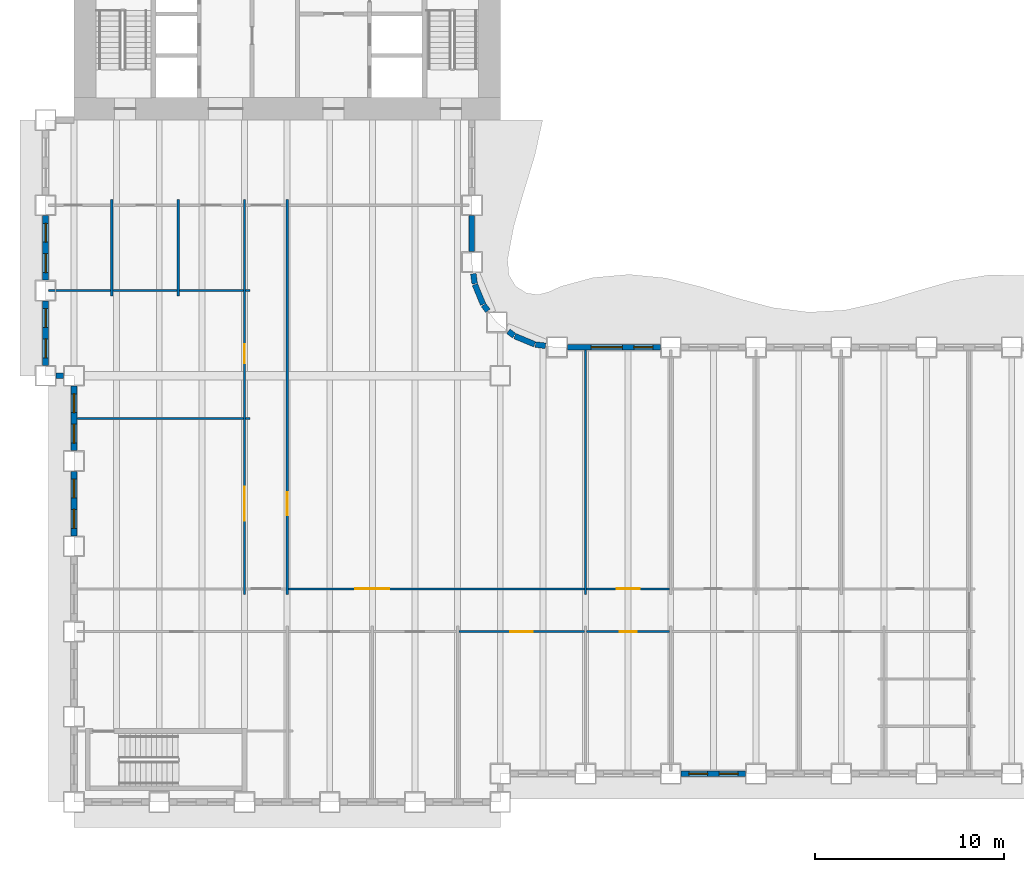
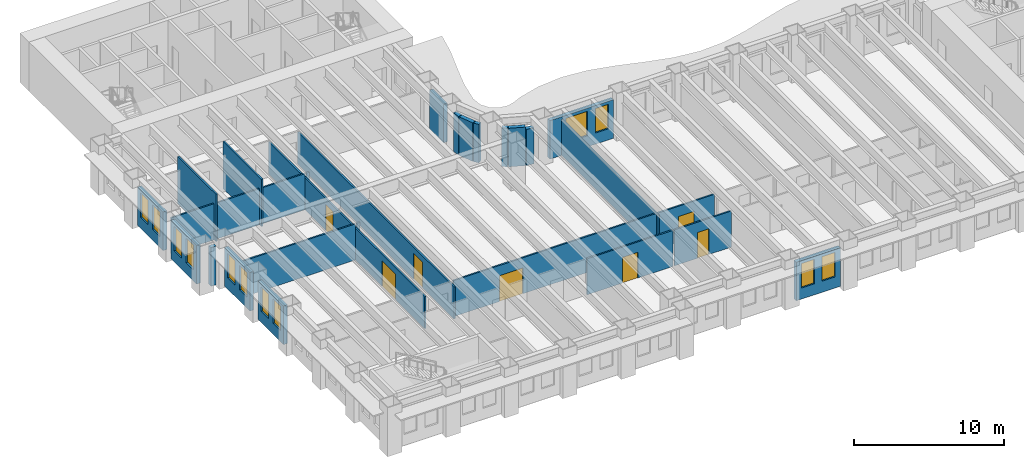
# One storey, part 4 of 16: 29 walls, 12 windows, 7 doors, 19 openings.
"""IFC4 building model written with IfcOpenShell, lengths in metres."""

from ifc_helpers import new_model, si_unit, direction, frame, frame_2d, origin, place, context, subcontext, project, spatial, rectangle, extrude, material, layer, layer_set, type_object, element, fill, save


model = new_model("IFC4")

# Units and contexts
model_context = context("Model", 3, precision=1e-05, world=origin(), true_north=direction((0.0, 1.0)))
body_context = subcontext(model_context, "Body", "Model", "MODEL_VIEW")
ifc_project = project(units=[si_unit("LENGTHUNIT", "METRE"), si_unit("AREAUNIT", "SQUARE_METRE"), si_unit("VOLUMEUNIT", "CUBIC_METRE"), si_unit("PLANEANGLEUNIT", "RADIAN"), si_unit("MASSUNIT", "GRAM", prefix="KILO")], contexts=[model_context])

# Site, building, storey
site_placement = place(None, origin())
site = spatial("IfcSite", under=ifc_project, at=site_placement, CompositionType="ELEMENT")
building_placement = place(site_placement, origin())
building = spatial("IfcBuilding", under=site, at=building_placement, Name="Sennacour Bend Tower", CompositionType="ELEMENT")
storey_placement = place(building_placement, frame((0.0, 0.0, 69.0)))
storey = spatial("IfcBuildingStorey", under=building, at=storey_placement, Name="L15", CompositionType="ELEMENT", Elevation=69.0)

# Walls
ifc_material_1 = material(Name="Plasterboard partition on steel studs", Category="steel")
ifc_layer_1 = layer(ifc_material_1, 0.1201171875, Name="Plasterboard partition on steel studs", Category="steel")
ifc_layer_set_1 = layer_set([ifc_layer_1], Name="Plasterboard partition on steel studs")
wall_type_1 = type_object("IfcWallType", Name="Partition 120", PredefinedType="PARTITIONING", material=ifc_layer_set_1)
for number, where, z_axis, x_axis, name in (
    (1, (2.0, 26.699951171875, 0.0), (0.0, 0.0, 1.0), (0.0, 1.0, 0.0), "P-L15-W004a"),
    (2, (5.5, 26.699951171875, 0.0), (0.0, 0.0, 1.0), (0.0, 1.0, 0.0), "P-L15-W008a"),
):
    element("IfcWall", number, at=place(storey_placement, frame(where, z_axis=z_axis, x_axis=x_axis)), inside=storey, type_object=wall_type_1, Name=name, PredefinedType="PARTITIONING", context=body_context, shape_type="SweptSolid", body=[
        extrude(rectangle(XDim=5.10009765625, YDim=0.1201171875, at=frame_2d((2.550048828125, 0.0))), origin(), (0.0, 0.0, 1.0), 3.85009765625),
    ])

# Wall, openings, doors
wall_1_placement = place(storey_placement, frame((9.0, 10.949951171875, 0.0), z_axis=(0.0, 0.0, 1.0), x_axis=(0.0, 1.0, 0.0)))
wall_1 = element("IfcWall", 3, at=wall_1_placement, inside=storey, type_object=wall_type_1, Name="P-L15-W011a", PredefinedType="PARTITIONING", context=body_context, shape_type="SweptSolid", body=[
    extrude(rectangle(XDim=20.85009765625, YDim=0.1201171875, at=frame_2d((10.425048828125, 0.0))), origin(), (0.0, 0.0, 1.0), 2.60009765625),
])
opening_1_placement = place(wall_1_placement, frame((3.89990234375, 0.0, 0.0)))
opening_1 = element("IfcOpeningElement", 4, at=opening_1_placement, cuts=wall_1, Name="Opening OD3", PredefinedType="OPENING", context=body_context, shape_type="SweptSolid", body=[
    extrude(rectangle(XDim=1.800048828125, YDim=2.10009765625, at=frame_2d((0.89990234375, 1.050048828125))), frame((0.0, 0.070068359375, 0.0), z_axis=(0.0, -1.0, 0.0), x_axis=(1.0, 0.0, 0.0)), (0.0, 0.0, 1.0), 0.14013671875),
])
opening_2_placement = place(wall_1_placement, frame((12.205078125, 0.0, 0.0)))
opening_2 = element("IfcOpeningElement", 5, at=opening_2_placement, cuts=wall_1, Name="Opening OD2", PredefinedType="OPENING", context=body_context, shape_type="SweptSolid", body=[
    extrude(rectangle(XDim=1.0, YDim=2.10009765625, at=frame_2d((0.5, 1.050048828125))), frame((0.0, 0.070068359375, 0.0), z_axis=(0.0, -1.0, 0.0), x_axis=(1.0, 0.0, 0.0)), (0.0, 0.0, 1.0), 0.14013671875),
])
ifc_material_2 = material(Name="Timber", Category="wood")
door_type_1 = type_object("IfcDoorType", Name="DR-OFFICE-1000", OperationType="NOTDEFINED", PredefinedType="DOOR", material=ifc_material_2)
door_1_placement = place(opening_2_placement, origin())
door_1 = element("IfcDoor", 6, at=door_1_placement, inside=storey, type_object=door_type_1, Name="Door", OperationType="SINGLE_SWING_RIGHT", OverallHeight=2.10009765625, OverallWidth=1.0, PredefinedType="DOOR", context=body_context, shape_type="SweptSolid", body=[
    extrude(rectangle(XDim=1.0, YDim=2.10009765625, at=frame_2d((0.5, 1.050048828125))), frame((0.0, 0.02490234375, 0.0), z_axis=(0.0, -1.0, 0.0), x_axis=(1.0, 0.0, 0.0)), (0.0, 0.0, 1.0), 0.050048828125),
])
fill(opening_2, door_1)
door_type_2 = type_object("IfcDoorType", Name="DR-OFFICE-1800", OperationType="NOTDEFINED", PredefinedType="DOOR", material=ifc_material_2)
door_2_placement = place(opening_1_placement, origin())
door_2 = element("IfcDoor", 7, at=door_2_placement, inside=storey, type_object=door_type_2, Name="Door", OperationType="DOUBLE_DOOR_SINGLE_SWING", OverallHeight=2.10009765625, OverallWidth=1.800048828125, PredefinedType="DOOR", context=body_context, shape_type="SweptSolid", body=[
    extrude(rectangle(XDim=1.800048828125, YDim=2.10009765625, at=frame_2d((0.89990234375, 1.050048828125))), frame((0.0, 0.02490234375, 0.0), z_axis=(0.0, -1.0, 0.0), x_axis=(1.0, 0.0, 0.0)), (0.0, 0.0, 1.0), 0.050048828125),
])
fill(opening_1, door_2)

# Wall, opening, door
wall_2_placement = place(storey_placement, frame((11.25, 10.949951171875, 0.0), z_axis=(0.0, 0.0, 1.0), x_axis=(0.0, 1.0, 0.0)))
wall_2 = element("IfcWall", 8, at=wall_2_placement, inside=storey, type_object=wall_type_1, Name="P-L15-W014a", PredefinedType="PARTITIONING", context=body_context, shape_type="SweptSolid", body=[
    extrude(rectangle(XDim=20.85009765625, YDim=0.1201171875, at=frame_2d((10.425048828125, 0.0))), origin(), (0.0, 0.0, 1.0), 2.60009765625),
])
opening_3_placement = place(wall_2_placement, frame((4.199951171875, 0.0, 0.0)))
opening_3 = element("IfcOpeningElement", 9, at=opening_3_placement, cuts=wall_2, Name="Opening OD", PredefinedType="OPENING", context=body_context, shape_type="SweptSolid", body=[
    extrude(rectangle(XDim=1.199951171875, YDim=2.10009765625, at=frame_2d((0.60009765625, 1.050048828125))), frame((0.0, 0.070068359375, 0.0), z_axis=(0.0, -1.0, 0.0), x_axis=(1.0, 0.0, 0.0)), (0.0, 0.0, 1.0), 0.14013671875),
])
door_type_3 = type_object("IfcDoorType", Name="DR-OFFICE-1200", OperationType="NOTDEFINED", PredefinedType="DOOR", material=ifc_material_2)
door_3_placement = place(opening_3_placement, origin())
door_3 = element("IfcDoor", 10, at=door_3_placement, inside=storey, type_object=door_type_3, Name="Door", OperationType="SINGLE_SWING_LEFT", OverallHeight=2.10009765625, OverallWidth=1.199951171875, PredefinedType="DOOR", context=body_context, shape_type="SweptSolid", body=[
    extrude(rectangle(XDim=1.199951171875, YDim=2.10009765625, at=frame_2d((0.60009765625, 1.050048828125))), frame((0.0, 0.02490234375, 0.0), z_axis=(0.0, -1.0, 0.0), x_axis=(1.0, 0.0, 0.0)), (0.0, 0.0, 1.0), 0.050048828125),
])
fill(opening_3, door_3)

# Wall
wall_3_placement = place(storey_placement, frame((27.0, 10.949951171875, 0.0), z_axis=(0.0, 0.0, 1.0), x_axis=(0.0, 1.0, 0.0)))
element("IfcWall", 11, at=wall_3_placement, inside=storey, type_object=wall_type_1, Name="P-L15-W027a", PredefinedType="PARTITIONING", context=body_context, shape_type="SweptSolid", body=[
    extrude(rectangle(XDim=12.900146484375, YDim=0.1201171875, at=frame_2d((6.4501953125, 0.0))), origin(), (0.0, 0.0, 1.0), 2.93798828125),
])

# Wall, opening, door
wall_4_placement = place(storey_placement, frame((20.31005859375, 9.0, 0.0), z_axis=(0.0, 0.0, 1.0), x_axis=(1.0, 0.0, 0.0)))
wall_4 = element("IfcWall", 12, at=wall_4_placement, inside=storey, type_object=wall_type_1, Name="P-L15-W061ad", PredefinedType="PARTITIONING", context=body_context, shape_type="SweptSolid", body=[
    extrude(rectangle(XDim=6.6298828125, YDim=0.1201171875, at=frame_2d((3.31494140625, 0.0))), origin(), (0.0, 0.0, 1.0), 2.93798828125),
])
opening_4_placement = place(wall_4_placement, frame((2.71484375, 0.0, 0.0)))
opening_4 = element("IfcOpeningElement", 13, at=opening_4_placement, cuts=wall_4, Name="Opening OD", PredefinedType="OPENING", context=body_context, shape_type="SweptSolid", body=[
    extrude(rectangle(XDim=1.199951171875, YDim=2.10009765625, at=frame_2d((0.60009765625, 1.050048828125))), frame((0.0, 0.070068359375, 0.0), z_axis=(0.0, -1.0, 0.0), x_axis=(1.0, 0.0, 0.0)), (0.0, 0.0, 1.0), 0.14013671875),
])
door_4_placement = place(opening_4_placement, origin())
door_4 = element("IfcDoor", 14, at=door_4_placement, inside=storey, type_object=door_type_3, Name="Door", OperationType="SINGLE_SWING_LEFT", OverallHeight=2.10009765625, OverallWidth=1.199951171875, PredefinedType="DOOR", context=body_context, shape_type="SweptSolid", body=[
    extrude(rectangle(XDim=1.199951171875, YDim=2.10009765625, at=frame_2d((0.60009765625, 1.050048828125))), frame((0.0, 0.02490234375, 0.0), z_axis=(0.0, -1.0, 0.0), x_axis=(1.0, 0.0, 0.0)), (0.0, 0.0, 1.0), 0.050048828125),
])
fill(opening_4, door_4)

wall_5_placement = place(storey_placement, frame((11.31005859375, 11.25, 0.0), z_axis=(0.0, 0.0, 1.0), x_axis=(1.0, 0.0, 0.0)))
wall_5 = element("IfcWall", 15, at=wall_5_placement, inside=storey, type_object=wall_type_1, Name="P-L15-W063ac", PredefinedType="PARTITIONING", context=body_context, shape_type="SweptSolid", body=[
    extrude(rectangle(XDim=15.6298828125, YDim=0.1201171875, at=frame_2d((7.81494140625, 0.0))), origin(), (0.0, 0.0, 1.0), 2.93798828125),
])
opening_5_placement = place(wall_5_placement, frame((3.539794921875, 0.0, 0.0)))
opening_5 = element("IfcOpeningElement", 16, at=opening_5_placement, cuts=wall_5, Name="Opening OD3", PredefinedType="OPENING", context=body_context, shape_type="SweptSolid", body=[
    extrude(rectangle(XDim=1.800048828125, YDim=2.10009765625, at=frame_2d((0.89990234375, 1.050048828125))), frame((0.0, 0.070068359375, 0.0), z_axis=(0.0, -1.0, 0.0), x_axis=(1.0, 0.0, 0.0)), (0.0, 0.0, 1.0), 0.14013671875),
])
door_5_placement = place(opening_5_placement, origin())
door_5 = element("IfcDoor", 17, at=door_5_placement, inside=storey, type_object=door_type_2, Name="Door", OperationType="DOUBLE_DOOR_SINGLE_SWING", OverallHeight=2.10009765625, OverallWidth=1.800048828125, PredefinedType="DOOR", context=body_context, shape_type="SweptSolid", body=[
    extrude(rectangle(XDim=1.800048828125, YDim=2.10009765625, at=frame_2d((0.89990234375, 1.050048828125))), frame((0.0, 0.02490234375, 0.0), z_axis=(0.0, -1.0, 0.0), x_axis=(1.0, 0.0, 0.0)), (0.0, 0.0, 1.0), 0.050048828125),
])
fill(opening_5, door_5)

wall_6_placement = place(storey_placement, frame((27.06005859375, 11.25, 0.0), z_axis=(0.0, 0.0, 1.0), x_axis=(1.0, 0.0, 0.0)))
wall_6 = element("IfcWall", 18, at=wall_6_placement, inside=storey, type_object=wall_type_1, Name="P-L15-W063ad", PredefinedType="PARTITIONING", context=body_context, shape_type="SweptSolid", body=[
    extrude(rectangle(XDim=4.3798828125, YDim=0.1201171875, at=frame_2d((2.18994140625, 0.0))), origin(), (0.0, 0.0, 1.0), 2.93798828125),
])
opening_6_placement = place(wall_6_placement, frame((1.58984375, 0.0, 0.0)))
opening_6 = element("IfcOpeningElement", 19, at=opening_6_placement, cuts=wall_6, Name="Opening OD", PredefinedType="OPENING", context=body_context, shape_type="SweptSolid", body=[
    extrude(rectangle(XDim=1.199951171875, YDim=2.10009765625, at=frame_2d((0.60009765625, 1.050048828125))), frame((0.0, 0.070068359375, 0.0), z_axis=(0.0, -1.0, 0.0), x_axis=(1.0, 0.0, 0.0)), (0.0, 0.0, 1.0), 0.14013671875),
])
door_6_placement = place(opening_6_placement, origin())
door_6 = element("IfcDoor", 20, at=door_6_placement, inside=storey, type_object=door_type_3, Name="Door", OperationType="SINGLE_SWING_LEFT", OverallHeight=2.10009765625, OverallWidth=1.199951171875, PredefinedType="DOOR", context=body_context, shape_type="SweptSolid", body=[
    extrude(rectangle(XDim=1.199951171875, YDim=2.10009765625, at=frame_2d((0.60009765625, 1.050048828125))), frame((0.0, 0.02490234375, 0.0), z_axis=(0.0, -1.0, 0.0), x_axis=(1.0, 0.0, 0.0)), (0.0, 0.0, 1.0), 0.050048828125),
])
fill(opening_6, door_6)

# Walls
wall_7_placement = place(storey_placement, frame((0.14990234375, 20.25, 0.0), z_axis=(0.0, 0.0, 1.0), x_axis=(1.0, 0.0, 0.0)))
element("IfcWall", 21, at=wall_7_placement, inside=storey, type_object=wall_type_1, Name="P-L15-W072aa", PredefinedType="PARTITIONING", context=body_context, shape_type="SweptSolid", body=[
    extrude(rectangle(XDim=8.7900390625, YDim=0.1201171875, at=frame_2d((4.39501953125, 0.0))), origin(), (0.0, 0.0, 1.0), 2.93798828125),
])
wall_8_placement = place(storey_placement, frame((9.06005859375, 20.25, 0.0), z_axis=(0.0, 0.0, 1.0), x_axis=(1.0, 0.0, 0.0)))
element("IfcWall", 22, at=wall_8_placement, inside=storey, type_object=wall_type_1, Name="P-L15-W072ab", PredefinedType="PARTITIONING", context=body_context, shape_type="SweptSolid", body=[
    extrude(rectangle(XDim=0.239990234375, YDim=0.1201171875, at=frame_2d((0.1201171875, 0.0))), origin(), (0.0, 0.0, 1.0), 2.93798828125),
])
wall_9_placement = place(storey_placement, frame((-1.35009765625, 27.0, 0.0), z_axis=(0.0, 0.0, 1.0), x_axis=(1.0, 0.0, 0.0)))
element("IfcWall", 23, at=wall_9_placement, inside=storey, type_object=wall_type_1, Name="P-L15-W074aa", PredefinedType="PARTITIONING", context=body_context, shape_type="SweptSolid", body=[
    extrude(rectangle(XDim=3.2900390625, YDim=0.1201171875, at=frame_2d((1.64501953125, 0.0))), origin(), (0.0, 0.0, 1.0), 2.93798828125),
])
for number, where, z_axis, x_axis, name in (
    (24, (2.06005859375, 27.0, 0.0), (0.0, 0.0, 1.0), (1.0, 0.0, 0.0), "P-L15-W074ab"),
    (25, (5.56005859375, 27.0, 0.0), (0.0, 0.0, 1.0), (1.0, 0.0, 0.0), "P-L15-W074ac"),
):
    element("IfcWall", number, at=place(storey_placement, frame(where, z_axis=z_axis, x_axis=x_axis)), inside=storey, type_object=wall_type_1, Name=name, PredefinedType="PARTITIONING", context=body_context, shape_type="SweptSolid", body=[
        extrude(rectangle(XDim=3.3798828125, YDim=0.1201171875, at=frame_2d((1.68994140625, 0.0))), origin(), (0.0, 0.0, 1.0), 2.93798828125),
    ])
wall_10_placement = place(storey_placement, frame((9.06005859375, 27.0, 0.0), z_axis=(0.0, 0.0, 1.0), x_axis=(1.0, 0.0, 0.0)))
element("IfcWall", 26, at=wall_10_placement, inside=storey, type_object=wall_type_1, Name="P-L15-W074ad", PredefinedType="PARTITIONING", context=body_context, shape_type="SweptSolid", body=[
    extrude(rectangle(XDim=0.239990234375, YDim=0.1201171875, at=frame_2d((0.1201171875, 0.0))), origin(), (0.0, 0.0, 1.0), 2.93798828125),
])

# Wall, opening, door
ifc_layer_2 = layer(ifc_material_1, 0.1201171875, Name="Plasterboard partition on steel studs", Category="steel")
ifc_layer_set_2 = layer_set([ifc_layer_2], Name="Plasterboard partition on steel studs")
wall_type_2 = type_object("IfcWallType", Name="Partition 120 EI 60", PredefinedType="PARTITIONING", material=ifc_layer_set_2)
wall_11_placement = place(storey_placement, frame((27.06005859375, 9.0, 0.0), z_axis=(0.0, 0.0, 1.0), x_axis=(1.0, 0.0, 0.0)))
wall_11 = element("IfcWall", 27, at=wall_11_placement, inside=storey, type_object=wall_type_2, Name="P-L15-W061ae", PredefinedType="PARTITIONING", context=body_context, shape_type="SweptSolid", body=[
    extrude(rectangle(XDim=4.3798828125, YDim=0.1201171875, at=frame_2d((2.18994140625, 0.0))), origin(), (0.0, 0.0, 1.0), 2.93798828125),
])
opening_7_placement = place(wall_11_placement, frame((1.739990234375, 0.0, 0.0)))
opening_7 = element("IfcOpeningElement", 28, at=opening_7_placement, cuts=wall_11, Name="Opening SV", PredefinedType="OPENING", context=body_context, shape_type="SweptSolid", body=[
    extrude(rectangle(XDim=0.89990234375, YDim=2.10009765625, at=frame_2d((0.449951171875, 1.050048828125))), frame((0.0, 0.070068359375, 0.0), z_axis=(0.0, -1.0, 0.0), x_axis=(1.0, 0.0, 0.0)), (0.0, 0.0, 1.0), 0.14013671875),
])
ifc_material_3 = material(Name="Painted steel", Category="steel")
door_type_4 = type_object("IfcDoorType", Name="DR-SERVICE-900", OperationType="NOTDEFINED", PredefinedType="DOOR", material=ifc_material_3)
door_7_placement = place(opening_7_placement, origin())
door_7 = element("IfcDoor", 29, at=door_7_placement, inside=storey, type_object=door_type_4, Name="Door", OperationType="SINGLE_SWING_LEFT", OverallHeight=2.10009765625, OverallWidth=0.89990234375, PredefinedType="DOOR", context=body_context, shape_type="SweptSolid", body=[
    extrude(rectangle(XDim=0.89990234375, YDim=2.10009765625, at=frame_2d((0.449951171875, 1.050048828125))), frame((0.0, 0.02490234375, 0.0), z_axis=(0.0, -1.0, 0.0), x_axis=(1.0, 0.0, 0.0)), (0.0, 0.0, 1.0), 0.050048828125),
])
fill(opening_7, door_7)

# Wall, openings, windows
ifc_material_4 = material(Name="Warm limestone cladding", Category="masonry")
ifc_layer_3 = layer(ifc_material_4, 0.050048828125, Name="Warm limestone cladding", Category="masonry")
ifc_material_5 = material(Name="Precast concrete C40/50", Category="concrete")
ifc_layer_4 = layer(ifc_material_5, 0.25, Name="Precast concrete C40/50", Category="concrete")
ifc_layer_set_3 = layer_set([ifc_layer_3, ifc_layer_4], Name="Precast concrete C40/50 with limestone cladding")
wall_type_3 = type_object("IfcWallType", Name="STONE-CLAD PRECAST SPANDREL 300", PredefinedType="STANDARD", material=ifc_layer_set_3)
wall_12_placement = place(storey_placement, frame((32.050048828125, 1.5, 0.0), z_axis=(0.0, 0.0, 1.0), x_axis=(1.0, 0.0, 0.0)))
wall_12 = element("IfcWall", 30, at=wall_12_placement, inside=storey, type_object=wall_type_3, Name="Stone spandrel and pier wall L15 02.02", PredefinedType="STANDARD", context=body_context, shape_type="SweptSolid", body=[
    extrude(rectangle(XDim=3.39990234375, YDim=0.300048828125, at=frame_2d((1.699951171875, 0.0))), origin(), (0.0, 0.0, 1.0), 3.14404296875),
])
opening_8_placement = place(wall_12_placement, frame((0.39990234375, 0.0, 0.89990234375)))
opening_8 = element("IfcOpeningElement", 31, at=opening_8_placement, cuts=wall_12, Name="Opening W8", PredefinedType="OPENING", context=body_context, shape_type="SweptSolid", body=[
    extrude(rectangle(XDim=1.0, YDim=2.0, at=frame_2d((0.5, 1.0))), frame((0.0, 0.16015625, 0.0), z_axis=(0.0, -1.0, 0.0), x_axis=(1.0, 0.0, 0.0)), (0.0, 0.0, 1.0), 0.320068359375),
])
opening_9_placement = place(wall_12_placement, frame((2.0, 0.0, 0.89990234375)))
opening_9 = element("IfcOpeningElement", 32, at=opening_9_placement, cuts=wall_12, Name="Opening W8", PredefinedType="OPENING", context=body_context, shape_type="SweptSolid", body=[
    extrude(rectangle(XDim=1.0, YDim=2.0, at=frame_2d((0.5, 1.0))), frame((0.0, 0.16015625, 0.0), z_axis=(0.0, -1.0, 0.0), x_axis=(1.0, 0.0, 0.0)), (0.0, 0.0, 1.0), 0.320068359375),
])
ifc_material_6 = material(Name="Clear low-emissivity glass", Category="glass")
window_type_1 = type_object("IfcWindowType", Name="WIN-RIBBON-1000x2000", PartitioningType="SINGLE_PANEL", PredefinedType="WINDOW", material=ifc_material_6)
window_1_placement = place(opening_8_placement, origin())
window_1 = element("IfcWindow", 33, at=window_1_placement, inside=storey, type_object=window_type_1, Name="Ribbon window L15 02.02.0", OverallHeight=2.0, OverallWidth=1.0, PartitioningType="SINGLE_PANEL", PredefinedType="WINDOW", context=body_context, shape_type="SweptSolid", body=[
    extrude(rectangle(XDim=1.0, YDim=2.0, at=frame_2d((0.5, 1.0))), frame((0.0, 0.030029296875, 0.0), z_axis=(0.0, -1.0, 0.0), x_axis=(1.0, 0.0, 0.0)), (0.0, 0.0, 1.0), 0.06005859375),
])
fill(opening_8, window_1)
window_2_placement = place(opening_9_placement, origin())
window_2 = element("IfcWindow", 34, at=window_2_placement, inside=storey, type_object=window_type_1, Name="Ribbon window L15 02.02.1", OverallHeight=2.0, OverallWidth=1.0, PartitioningType="SINGLE_PANEL", PredefinedType="WINDOW", context=body_context, shape_type="SweptSolid", body=[
    extrude(rectangle(XDim=1.0, YDim=2.0, at=frame_2d((0.5, 1.0))), frame((0.0, 0.030029296875, 0.0), z_axis=(0.0, -1.0, 0.0), x_axis=(1.0, 0.0, 0.0)), (0.0, 0.0, 1.0), 0.06005859375),
])
fill(opening_9, window_2)

wall_13_placement = place(storey_placement, frame((30.949951171875, 24.0, 0.0), z_axis=(0.0, 0.0, 1.0), x_axis=(-1.0, 0.0, 0.0)))
wall_13 = element("IfcWall", 35, at=wall_13_placement, inside=storey, type_object=wall_type_3, Name="Stone spandrel and pier wall L15 08.05", PredefinedType="STANDARD", context=body_context, shape_type="SweptSolid", body=[
    extrude(rectangle(XDim=4.89990234375, YDim=0.300048828125, at=frame_2d((2.449951171875, 0.0))), origin(), (0.0, 0.0, 1.0), 3.14404296875),
])
opening_10_placement = place(wall_13_placement, frame((0.39990234375, 0.0, 0.89990234375)))
opening_10 = element("IfcOpeningElement", 36, at=opening_10_placement, cuts=wall_13, Name="Opening W8", PredefinedType="OPENING", context=body_context, shape_type="SweptSolid", body=[
    extrude(rectangle(XDim=1.0, YDim=2.0, at=frame_2d((0.5, 1.0))), frame((0.0, 0.16015625, 0.0), z_axis=(0.0, -1.0, 0.0), x_axis=(1.0, 0.0, 0.0)), (0.0, 0.0, 1.0), 0.320068359375),
])
opening_11_placement = place(wall_13_placement, frame((2.0, 0.0, 0.89990234375)))
opening_11 = element("IfcOpeningElement", 37, at=opening_11_placement, cuts=wall_13, Name="Opening W10", PredefinedType="OPENING", context=body_context, shape_type="SweptSolid", body=[
    extrude(rectangle(XDim=1.64990234375, YDim=2.0, at=frame_2d((0.824951171875, 1.0))), frame((0.0, 0.16015625, 0.0), z_axis=(0.0, -1.0, 0.0), x_axis=(1.0, 0.0, 0.0)), (0.0, 0.0, 1.0), 0.320068359375),
])
window_3_placement = place(opening_10_placement, origin())
window_3 = element("IfcWindow", 38, at=window_3_placement, inside=storey, type_object=window_type_1, Name="Ribbon window L15 08.05.0", OverallHeight=2.0, OverallWidth=1.0, PartitioningType="SINGLE_PANEL", PredefinedType="WINDOW", context=body_context, shape_type="SweptSolid", body=[
    extrude(rectangle(XDim=1.0, YDim=2.0, at=frame_2d((0.5, 1.0))), frame((0.0, 0.030029296875, 0.0), z_axis=(0.0, -1.0, 0.0), x_axis=(1.0, 0.0, 0.0)), (0.0, 0.0, 1.0), 0.06005859375),
])
fill(opening_10, window_3)
window_type_2 = type_object("IfcWindowType", Name="WIN-RIBBON-1650x2000", PartitioningType="SINGLE_PANEL", PredefinedType="WINDOW", material=ifc_material_6)
window_4_placement = place(opening_11_placement, origin())
window_4 = element("IfcWindow", 39, at=window_4_placement, inside=storey, type_object=window_type_2, Name="Ribbon window L15 08.05.1", OverallHeight=2.0, OverallWidth=1.64990234375, PartitioningType="SINGLE_PANEL", PredefinedType="WINDOW", context=body_context, shape_type="SweptSolid", body=[
    extrude(rectangle(XDim=1.64990234375, YDim=2.0, at=frame_2d((0.824951171875, 1.0))), frame((0.0, 0.030029296875, 0.0), z_axis=(0.0, -1.0, 0.0), x_axis=(1.0, 0.0, 0.0)), (0.0, 0.0, 1.0), 0.06005859375),
])
fill(opening_11, window_4)

# Walls
wall_14_placement = place(storey_placement, frame((24.88818359375, 24.08056640625, 0.0), z_axis=(0.0, 0.0, 1.0), x_axis=(-0.991417173479, 0.130736330569, 0.0)))
element("IfcWall", 40, at=wall_14_placement, inside=storey, type_object=wall_type_3, Name="Stone spandrel and pier wall L15 09.00", PredefinedType="STANDARD", context=body_context, shape_type="SweptSolid", body=[
    extrude(rectangle(XDim=0.537841796875, YDim=0.300048828125, at=frame_2d((0.26904296875, 0.0))), origin(), (0.0, 0.0, 1.0), 2.93798828125),
])
wall_15_placement = place(storey_placement, frame((24.317138671875, 24.160888671875, 0.0), z_axis=(0.0, 0.0, 1.0), x_axis=(-0.923914616768, 0.382598720491, 0.0)))
element("IfcWall", 41, at=wall_15_placement, inside=storey, type_object=wall_type_3, Name="Stone spandrel and pier wall L15 10.00", PredefinedType="STANDARD", context=body_context, shape_type="SweptSolid", body=[
    extrude(rectangle(XDim=1.13525390625, YDim=0.300048828125, at=frame_2d((0.567626953125, 0.0))), origin(), (0.0, 0.0, 1.0), 3.14404296875),
])
for number, where, z_axis, x_axis, name in (
    (42, (23.234375, 24.614990234375, 0.0), (0.0, 0.0, 1.0), (-0.79354495224, 0.60851163405, 0.0), "Stone spandrel and pier wall L15 11.00"),
    (43, (21.8486328125, 25.9296875, 0.0), (0.0, 0.0, 1.0), (-0.60851163405, 0.79354495224, 0.0), "Stone spandrel and pier wall L15 12.00"),
):
    element("IfcWall", number, at=place(storey_placement, frame(where, z_axis=z_axis, x_axis=x_axis)), inside=storey, type_object=wall_type_3, Name=name, PredefinedType="STANDARD", context=body_context, shape_type="SweptSolid", body=[
        extrude(rectangle(XDim=0.384033203125, YDim=0.300048828125, at=frame_2d((0.19189453125, 0.0))), origin(), (0.0, 0.0, 1.0), 3.14404296875),
    ])
wall_16_placement = place(storey_placement, frame((21.59521484375, 26.268310546875, 0.0), z_axis=(0.0, 0.0, 1.0), x_axis=(-0.382598720491, 0.923914616768, 0.0)))
element("IfcWall", 44, at=wall_16_placement, inside=storey, type_object=wall_type_3, Name="Stone spandrel and pier wall L15 13.00", PredefinedType="STANDARD", context=body_context, shape_type="SweptSolid", body=[
    extrude(rectangle(XDim=1.13525390625, YDim=0.300048828125, at=frame_2d((0.567626953125, 0.0))), origin(), (0.0, 0.0, 1.0), 3.14404296875),
])
wall_17_placement = place(storey_placement, frame((21.15087890625, 27.35498046875, 0.0), z_axis=(0.0, 0.0, 1.0), x_axis=(-0.130736330569, 0.991417173479, 0.0)))
element("IfcWall", 45, at=wall_17_placement, inside=storey, type_object=wall_type_3, Name="Stone spandrel and pier wall L15 14.00", PredefinedType="STANDARD", context=body_context, shape_type="SweptSolid", body=[
    extrude(rectangle(XDim=0.537841796875, YDim=0.300048828125, at=frame_2d((0.26904296875, 0.0))), origin(), (0.0, 0.0, 1.0), 3.14404296875),
])
wall_18_placement = place(storey_placement, frame((21.0, 29.050048828125, 0.0), z_axis=(0.0, 0.0, 1.0), x_axis=(0.0, 1.0, 0.0)))
element("IfcWall", 46, at=wall_18_placement, inside=storey, type_object=wall_type_3, Name="Stone spandrel and pier wall L15 15.00", PredefinedType="STANDARD", context=body_context, shape_type="SweptSolid", body=[
    extrude(rectangle(XDim=1.89990234375, YDim=0.300048828125, at=frame_2d((0.949951171875, 0.0))), origin(), (0.0, 0.0, 1.0), 3.14404296875),
])

# Wall, openings, windows
wall_19_placement = place(storey_placement, frame((-1.5, 30.949951171875, 0.0), z_axis=(0.0, 0.0, 1.0), x_axis=(0.0, -1.0, 0.0)))
wall_19 = element("IfcWall", 47, at=wall_19_placement, inside=storey, type_object=wall_type_3, Name="Stone spandrel and pier wall L15 21.01", PredefinedType="STANDARD", context=body_context, shape_type="SweptSolid", body=[
    extrude(rectangle(XDim=3.39990234375, YDim=0.300048828125, at=frame_2d((1.699951171875, 0.0))), origin(), (0.0, 0.0, 1.0), 3.14404296875),
])
opening_12_placement = place(wall_19_placement, frame((0.39990234375, 0.0, 0.89990234375)))
opening_12 = element("IfcOpeningElement", 48, at=opening_12_placement, cuts=wall_19, Name="Opening W8", PredefinedType="OPENING", context=body_context, shape_type="SweptSolid", body=[
    extrude(rectangle(XDim=1.0, YDim=2.0, at=frame_2d((0.5, 1.0))), frame((0.0, 0.16015625, 0.0), z_axis=(0.0, -1.0, 0.0), x_axis=(1.0, 0.0, 0.0)), (0.0, 0.0, 1.0), 0.320068359375),
])
opening_13_placement = place(wall_19_placement, frame((2.0, 0.0, 0.89990234375)))
opening_13 = element("IfcOpeningElement", 49, at=opening_13_placement, cuts=wall_19, Name="Opening W8", PredefinedType="OPENING", context=body_context, shape_type="SweptSolid", body=[
    extrude(rectangle(XDim=1.0, YDim=2.0, at=frame_2d((0.5, 1.0))), frame((0.0, 0.16015625, 0.0), z_axis=(0.0, -1.0, 0.0), x_axis=(1.0, 0.0, 0.0)), (0.0, 0.0, 1.0), 0.320068359375),
])
window_5_placement = place(opening_12_placement, origin())
window_5 = element("IfcWindow", 50, at=window_5_placement, inside=storey, type_object=window_type_1, Name="Ribbon window L15 21.01.0", OverallHeight=2.0, OverallWidth=1.0, PartitioningType="SINGLE_PANEL", PredefinedType="WINDOW", context=body_context, shape_type="SweptSolid", body=[
    extrude(rectangle(XDim=1.0, YDim=2.0, at=frame_2d((0.5, 1.0))), frame((0.0, 0.030029296875, 0.0), z_axis=(0.0, -1.0, 0.0), x_axis=(1.0, 0.0, 0.0)), (0.0, 0.0, 1.0), 0.06005859375),
])
fill(opening_12, window_5)
window_6_placement = place(opening_13_placement, origin())
window_6 = element("IfcWindow", 51, at=window_6_placement, inside=storey, type_object=window_type_1, Name="Ribbon window L15 21.01.1", OverallHeight=2.0, OverallWidth=1.0, PartitioningType="SINGLE_PANEL", PredefinedType="WINDOW", context=body_context, shape_type="SweptSolid", body=[
    extrude(rectangle(XDim=1.0, YDim=2.0, at=frame_2d((0.5, 1.0))), frame((0.0, 0.030029296875, 0.0), z_axis=(0.0, -1.0, 0.0), x_axis=(1.0, 0.0, 0.0)), (0.0, 0.0, 1.0), 0.06005859375),
])
fill(opening_13, window_6)

wall_20_placement = place(storey_placement, frame((-1.5, 26.449951171875, 0.0), z_axis=(0.0, 0.0, 1.0), x_axis=(0.0, -1.0, 0.0)))
wall_20 = element("IfcWall", 52, at=wall_20_placement, inside=storey, type_object=wall_type_3, Name="Stone spandrel and pier wall L15 21.02", PredefinedType="STANDARD", context=body_context, shape_type="SweptSolid", body=[
    extrude(rectangle(XDim=3.39990234375, YDim=0.300048828125, at=frame_2d((1.699951171875, 0.0))), origin(), (0.0, 0.0, 1.0), 3.14404296875),
])
opening_14_placement = place(wall_20_placement, frame((0.39990234375, 0.0, 0.89990234375)))
opening_14 = element("IfcOpeningElement", 53, at=opening_14_placement, cuts=wall_20, Name="Opening W8", PredefinedType="OPENING", context=body_context, shape_type="SweptSolid", body=[
    extrude(rectangle(XDim=1.0, YDim=2.0, at=frame_2d((0.5, 1.0))), frame((0.0, 0.16015625, 0.0), z_axis=(0.0, -1.0, 0.0), x_axis=(1.0, 0.0, 0.0)), (0.0, 0.0, 1.0), 0.320068359375),
])
opening_15_placement = place(wall_20_placement, frame((2.0, 0.0, 0.89990234375)))
opening_15 = element("IfcOpeningElement", 54, at=opening_15_placement, cuts=wall_20, Name="Opening W8", PredefinedType="OPENING", context=body_context, shape_type="SweptSolid", body=[
    extrude(rectangle(XDim=1.0, YDim=2.0, at=frame_2d((0.5, 1.0))), frame((0.0, 0.16015625, 0.0), z_axis=(0.0, -1.0, 0.0), x_axis=(1.0, 0.0, 0.0)), (0.0, 0.0, 1.0), 0.320068359375),
])
window_7_placement = place(opening_14_placement, origin())
window_7 = element("IfcWindow", 55, at=window_7_placement, inside=storey, type_object=window_type_1, Name="Ribbon window L15 21.02.0", OverallHeight=2.0, OverallWidth=1.0, PartitioningType="SINGLE_PANEL", PredefinedType="WINDOW", context=body_context, shape_type="SweptSolid", body=[
    extrude(rectangle(XDim=1.0, YDim=2.0, at=frame_2d((0.5, 1.0))), frame((0.0, 0.030029296875, 0.0), z_axis=(0.0, -1.0, 0.0), x_axis=(1.0, 0.0, 0.0)), (0.0, 0.0, 1.0), 0.06005859375),
])
fill(opening_14, window_7)
window_8_placement = place(opening_15_placement, origin())
window_8 = element("IfcWindow", 56, at=window_8_placement, inside=storey, type_object=window_type_1, Name="Ribbon window L15 21.02.1", OverallHeight=2.0, OverallWidth=1.0, PartitioningType="SINGLE_PANEL", PredefinedType="WINDOW", context=body_context, shape_type="SweptSolid", body=[
    extrude(rectangle(XDim=1.0, YDim=2.0, at=frame_2d((0.5, 1.0))), frame((0.0, 0.030029296875, 0.0), z_axis=(0.0, -1.0, 0.0), x_axis=(1.0, 0.0, 0.0)), (0.0, 0.0, 1.0), 0.06005859375),
])
fill(opening_15, window_8)

# Wall
wall_21_placement = place(storey_placement, frame((-0.949951171875, 22.5, 0.0), z_axis=(0.0, 0.0, 1.0), x_axis=(1.0, 0.0, 0.0)))
element("IfcWall", 57, at=wall_21_placement, inside=storey, type_object=wall_type_3, Name="Stone spandrel and pier wall L15 22.00", PredefinedType="STANDARD", context=body_context, shape_type="SweptSolid", body=[
    extrude(rectangle(XDim=0.39990234375, YDim=0.300048828125, at=frame_2d((0.199951171875, 0.0))), origin(), (0.0, 0.0, 1.0), 3.14404296875),
])

# Wall, openings, windows
wall_22_placement = place(storey_placement, frame((0.0, 21.949951171875, 0.0), z_axis=(0.0, 0.0, 1.0), x_axis=(0.0, -1.0, 0.0)))
wall_22 = element("IfcWall", 58, at=wall_22_placement, inside=storey, type_object=wall_type_3, Name="Stone spandrel and pier wall L15 23.00", PredefinedType="STANDARD", context=body_context, shape_type="SweptSolid", body=[
    extrude(rectangle(XDim=3.39990234375, YDim=0.300048828125, at=frame_2d((1.699951171875, 0.0))), origin(), (0.0, 0.0, 1.0), 3.14404296875),
])
opening_16_placement = place(wall_22_placement, frame((0.39990234375, 0.0, 0.89990234375)))
opening_16 = element("IfcOpeningElement", 59, at=opening_16_placement, cuts=wall_22, Name="Opening W8", PredefinedType="OPENING", context=body_context, shape_type="SweptSolid", body=[
    extrude(rectangle(XDim=1.0, YDim=2.0, at=frame_2d((0.5, 1.0))), frame((0.0, 0.16015625, 0.0), z_axis=(0.0, -1.0, 0.0), x_axis=(1.0, 0.0, 0.0)), (0.0, 0.0, 1.0), 0.320068359375),
])
opening_17_placement = place(wall_22_placement, frame((2.0, 0.0, 0.89990234375)))
opening_17 = element("IfcOpeningElement", 60, at=opening_17_placement, cuts=wall_22, Name="Opening W8", PredefinedType="OPENING", context=body_context, shape_type="SweptSolid", body=[
    extrude(rectangle(XDim=1.0, YDim=2.0, at=frame_2d((0.5, 1.0))), frame((0.0, 0.16015625, 0.0), z_axis=(0.0, -1.0, 0.0), x_axis=(1.0, 0.0, 0.0)), (0.0, 0.0, 1.0), 0.320068359375),
])
window_9_placement = place(opening_16_placement, origin())
window_9 = element("IfcWindow", 61, at=window_9_placement, inside=storey, type_object=window_type_1, Name="Ribbon window L15 23.00.0", OverallHeight=2.0, OverallWidth=1.0, PartitioningType="SINGLE_PANEL", PredefinedType="WINDOW", context=body_context, shape_type="SweptSolid", body=[
    extrude(rectangle(XDim=1.0, YDim=2.0, at=frame_2d((0.5, 1.0))), frame((0.0, 0.030029296875, 0.0), z_axis=(0.0, -1.0, 0.0), x_axis=(1.0, 0.0, 0.0)), (0.0, 0.0, 1.0), 0.06005859375),
])
fill(opening_16, window_9)
window_10_placement = place(opening_17_placement, origin())
window_10 = element("IfcWindow", 62, at=window_10_placement, inside=storey, type_object=window_type_1, Name="Ribbon window L15 23.00.1", OverallHeight=2.0, OverallWidth=1.0, PartitioningType="SINGLE_PANEL", PredefinedType="WINDOW", context=body_context, shape_type="SweptSolid", body=[
    extrude(rectangle(XDim=1.0, YDim=2.0, at=frame_2d((0.5, 1.0))), frame((0.0, 0.030029296875, 0.0), z_axis=(0.0, -1.0, 0.0), x_axis=(1.0, 0.0, 0.0)), (0.0, 0.0, 1.0), 0.06005859375),
])
fill(opening_17, window_10)

wall_23_placement = place(storey_placement, frame((0.0, 17.449951171875, 0.0), z_axis=(0.0, 0.0, 1.0), x_axis=(0.0, -1.0, 0.0)))
wall_23 = element("IfcWall", 63, at=wall_23_placement, inside=storey, type_object=wall_type_3, Name="Stone spandrel and pier wall L15 23.01", PredefinedType="STANDARD", context=body_context, shape_type="SweptSolid", body=[
    extrude(rectangle(XDim=3.39990234375, YDim=0.300048828125, at=frame_2d((1.699951171875, 0.0))), origin(), (0.0, 0.0, 1.0), 3.14404296875),
])
opening_18_placement = place(wall_23_placement, frame((0.39990234375, 0.0, 0.89990234375)))
opening_18 = element("IfcOpeningElement", 64, at=opening_18_placement, cuts=wall_23, Name="Opening W8", PredefinedType="OPENING", context=body_context, shape_type="SweptSolid", body=[
    extrude(rectangle(XDim=1.0, YDim=2.0, at=frame_2d((0.5, 1.0))), frame((0.0, 0.16015625, 0.0), z_axis=(0.0, -1.0, 0.0), x_axis=(1.0, 0.0, 0.0)), (0.0, 0.0, 1.0), 0.320068359375),
])
opening_19_placement = place(wall_23_placement, frame((2.0, 0.0, 0.89990234375)))
opening_19 = element("IfcOpeningElement", 65, at=opening_19_placement, cuts=wall_23, Name="Opening W8", PredefinedType="OPENING", context=body_context, shape_type="SweptSolid", body=[
    extrude(rectangle(XDim=1.0, YDim=2.0, at=frame_2d((0.5, 1.0))), frame((0.0, 0.16015625, 0.0), z_axis=(0.0, -1.0, 0.0), x_axis=(1.0, 0.0, 0.0)), (0.0, 0.0, 1.0), 0.320068359375),
])
window_11_placement = place(opening_18_placement, origin())
window_11 = element("IfcWindow", 66, at=window_11_placement, inside=storey, type_object=window_type_1, Name="Ribbon window L15 23.01.0", OverallHeight=2.0, OverallWidth=1.0, PartitioningType="SINGLE_PANEL", PredefinedType="WINDOW", context=body_context, shape_type="SweptSolid", body=[
    extrude(rectangle(XDim=1.0, YDim=2.0, at=frame_2d((0.5, 1.0))), frame((0.0, 0.030029296875, 0.0), z_axis=(0.0, -1.0, 0.0), x_axis=(1.0, 0.0, 0.0)), (0.0, 0.0, 1.0), 0.06005859375),
])
fill(opening_18, window_11)
window_12_placement = place(opening_19_placement, origin())
window_12 = element("IfcWindow", 67, at=window_12_placement, inside=storey, type_object=window_type_1, Name="Ribbon window L15 23.01.1", OverallHeight=2.0, OverallWidth=1.0, PartitioningType="SINGLE_PANEL", PredefinedType="WINDOW", context=body_context, shape_type="SweptSolid", body=[
    extrude(rectangle(XDim=1.0, YDim=2.0, at=frame_2d((0.5, 1.0))), frame((0.0, 0.030029296875, 0.0), z_axis=(0.0, -1.0, 0.0), x_axis=(1.0, 0.0, 0.0)), (0.0, 0.0, 1.0), 0.06005859375),
])
fill(opening_19, window_12)

save(model, "model.ifc")
